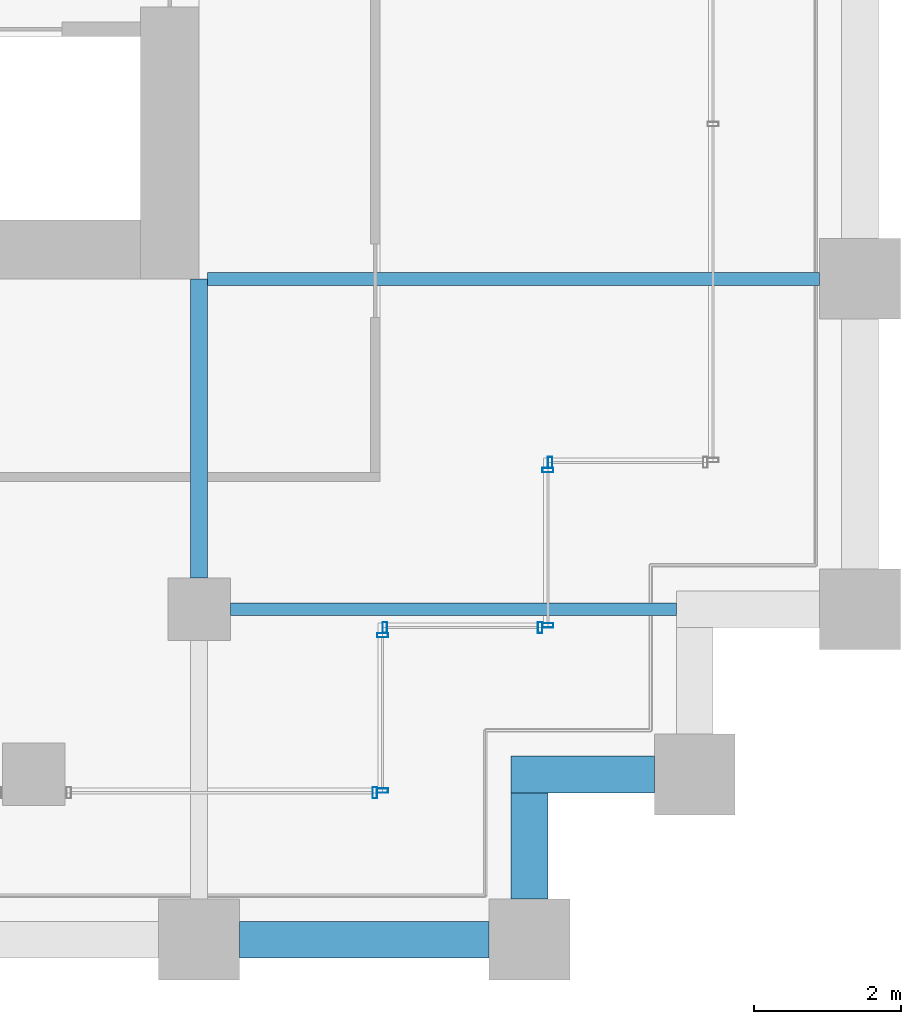
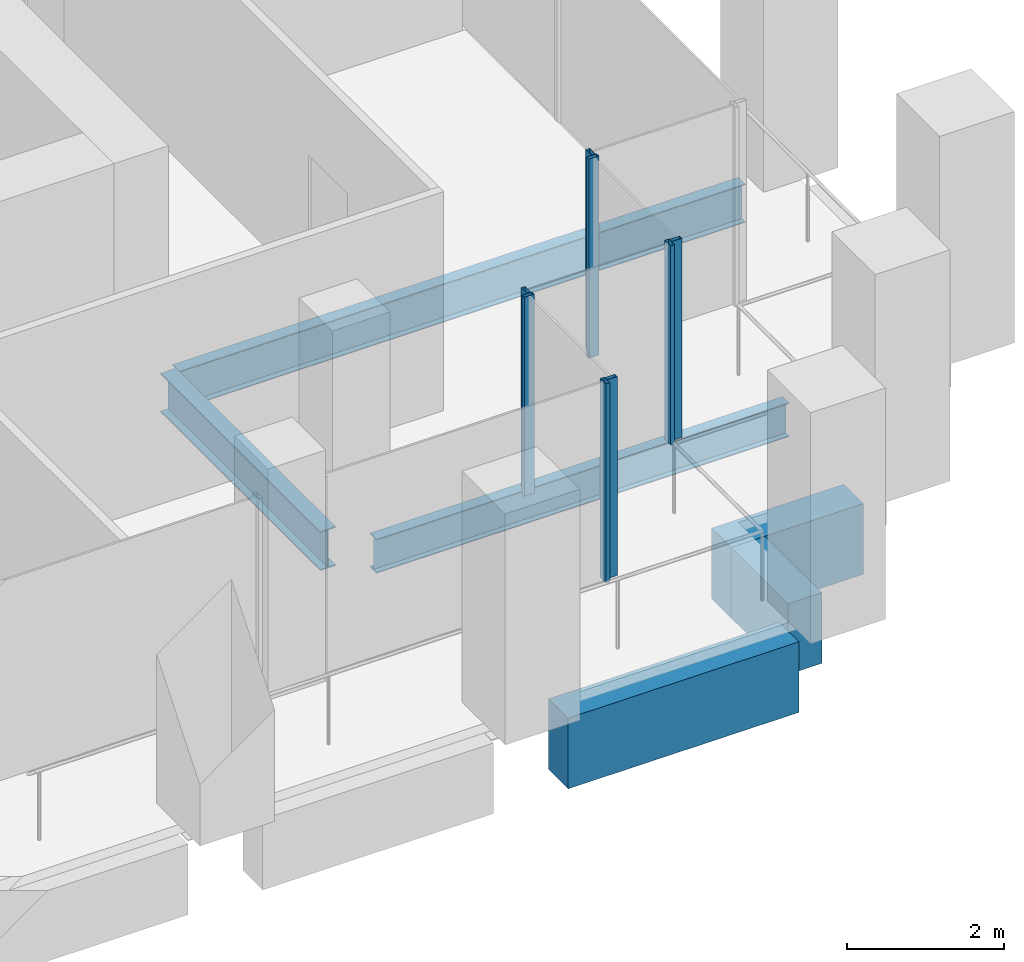
# One storey, part 38 of 54: 8 members, 6 beams, 5 elements without a shape of their own.
"""IFC4 building model written with IfcOpenShell, lengths in metres."""

from ifc_helpers import new_model, si_unit, direction, frame, origin, origin_2d, place, context, subcontext, project, spatial, rectangle, hollow_rectangle, i_section, extrude, material, material_profile, profile_set, type_object, element, aggregate, save


model = new_model("IFC4")

# Units and contexts
model_context = context("Model", 3, precision=1e-05, world=origin(), true_north=direction((0.0, 1.0)))
body_context = subcontext(model_context, "Body", "Model", "MODEL_VIEW")
ifc_project = project(units=[si_unit("LENGTHUNIT", "METRE"), si_unit("AREAUNIT", "SQUARE_METRE"), si_unit("VOLUMEUNIT", "CUBIC_METRE"), si_unit("PLANEANGLEUNIT", "RADIAN"), si_unit("MASSUNIT", "GRAM", prefix="KILO")], contexts=[model_context])

# Site, building, storey
site_placement = place(None, origin())
site = spatial("IfcSite", under=ifc_project, at=site_placement, CompositionType="ELEMENT")
building_placement = place(site_placement, origin())
building = spatial("IfcBuilding", under=site, at=building_placement, Name="Altepetl Exchange Towers", CompositionType="ELEMENT")
storey_placement = place(building_placement, frame((0.0, 0.0, 65.39990234375)))
storey = spatial("IfcBuildingStorey", under=building, at=storey_placement, Name="L15", CompositionType="ELEMENT", Elevation=65.39990234375)

# Beams
ifc_material_1 = material(Name="Steel S355", Category="steel")
ifc_material_profile_1 = material_profile(ifc_material_1, i_section(OverallWidth=0.166015625, OverallDepth=0.529052734375, WebThickness=0.009765625, FlangeThickness=0.013671875, at=origin_2d()), Name="W21X50")
ifc_profile_set_1 = profile_set([ifc_material_profile_1], Name="Steel S355")
beam_type_1 = type_object("IfcBeamType", Name="Floor beam W21X50", PredefinedType="BEAM", material=ifc_profile_set_1)
beam_1_placement = place(storey_placement, frame((117.425048828125, 31.5, -0.414306640625), z_axis=(1.0, 0.0, 0.0), x_axis=(0.0, 1.0, 0.0)))
element("IfcBeam", 1, at=beam_1_placement, inside=storey, type_object=beam_type_1, Name="bm:B:L15:004", PredefinedType="BEAM", context=body_context, shape_type="SweptSolid", body=[
    extrude(i_section(OverallWidth=0.166015625, OverallDepth=0.529052734375, WebThickness=0.009765625, FlangeThickness=0.013671875, at=origin_2d()), origin(), (0.0, 0.0, 1.0), 6.074951171875),
])
ifc_material_profile_2 = material_profile(ifc_material_1, i_section(OverallWidth=0.177978515625, OverallDepth=0.59912109375, WebThickness=0.010009765625, FlangeThickness=0.0126953125, at=origin_2d()), Name="W24X55")
ifc_profile_set_2 = profile_set([ifc_material_profile_2], Name="Steel S355")
beam_type_2 = type_object("IfcBeamType", Name="Floor beam W24X55", PredefinedType="BEAM", material=ifc_profile_set_2)
beam_2_placement = place(storey_placement, frame((117.114013671875, 36.0, -0.449462890625), z_axis=(1.0, 0.0, 0.0), x_axis=(0.0, 1.0, 0.0)))
element("IfcBeam", 2, at=beam_2_placement, inside=storey, type_object=beam_type_2, Name="bm:B:L15:005", PredefinedType="BEAM", context=body_context, shape_type="SweptSolid", body=[
    extrude(i_section(OverallWidth=0.177978515625, OverallDepth=0.59912109375, WebThickness=0.010009765625, FlangeThickness=0.0126953125, at=origin_2d()), origin(), (0.0, 0.0, 1.0), 8.3359375),
])
ifc_material_profile_3 = material_profile(ifc_material_1, i_section(OverallWidth=0.22802734375, OverallDepth=0.60791015625, WebThickness=0.01123046875, FlangeThickness=0.017333984375, at=origin_2d()), Name="W24X76")
ifc_profile_set_3 = profile_set([ifc_material_profile_3], Name="Steel S355")
beam_type_3 = type_object("IfcBeamType", Name="Girder W24X76", PredefinedType="BEAM", material=ifc_profile_set_3)
beam_3_placement = place(storey_placement, frame((117.0, 36.0, -0.453857421875), z_axis=(0.0, -1.0, 0.0), x_axis=(1.0, 0.0, 0.0)))
element("IfcBeam", 3, at=beam_3_placement, inside=storey, type_object=beam_type_3, Name="gd:B:L15:004", PredefinedType="BEAM", context=body_context, shape_type="SweptSolid", body=[
    extrude(i_section(OverallWidth=0.22802734375, OverallDepth=0.60791015625, WebThickness=0.01123046875, FlangeThickness=0.017333984375, at=origin_2d()), origin(), (0.0, 0.0, 1.0), 4.074951171875),
])

# Curtain wall, member
ifc_material_2 = material(Name="Aluminium 6063-T6 glazing", Category="aluminium")
curtain_wall_type = type_object("IfcCurtainWallType", Name="Loggia glazing system", PredefinedType="NOTDEFINED", material=ifc_material_2)
curtain_wall_1_placement = place(storey_placement, origin())
curtain_wall_1 = element("IfcCurtainWall", 4, at=curtain_wall_1_placement, inside=storey, type_object=curtain_wall_type, Name="CW1 run", PredefinedType="NOTDEFINED")
ifc_material_3 = material(Name="Aluminium 6063-T6", Category="aluminium")
ifc_material_profile_4 = material_profile(ifc_material_3, hollow_rectangle(XDim=0.06005859375, YDim=0.14990234375, WallThickness=0.0029296875, at=origin_2d()), Name="Mullion 60x150 aluminium")
ifc_profile_set_4 = profile_set([ifc_material_profile_4], Name="Aluminium 6063-T6")
member_type = type_object("IfcMemberType", Name="Mullion 60x150 aluminium", PredefinedType="MULLION", material=ifc_profile_set_4)
member_1_placement = place(storey_placement, frame((119.39501953125, 29.0, 0.0)))
member_1 = element("IfcMember", 5, at=member_1_placement, type_object=member_type, Name="MU1 mullion", PredefinedType="MULLION", context=body_context, shape_type="SweptSolid", body=[
    extrude(hollow_rectangle(XDim=0.06005859375, YDim=0.14990234375, WallThickness=0.0029296875, at=origin_2d()), origin(), (0.0, 0.0, 1.0), 3.10009765625),
])
aggregate(curtain_wall_1, [member_1])

# Curtain wall, members
curtain_wall_2_placement = place(storey_placement, origin())
curtain_wall_2 = element("IfcCurtainWall", 6, at=curtain_wall_2_placement, inside=storey, type_object=curtain_wall_type, Name="CW1 run", PredefinedType="NOTDEFINED")
member_2_placement = place(storey_placement, frame((119.5, 29.030029296875, 0.0), z_axis=(0.0, 0.0, 1.0), x_axis=(0.0, 1.0, 0.0)))
member_2 = element("IfcMember", 7, at=member_2_placement, type_object=member_type, Name="MU1 mullion", PredefinedType="MULLION", context=body_context, shape_type="SweptSolid", body=[
    extrude(hollow_rectangle(XDim=0.06005859375, YDim=0.14990234375, WallThickness=0.0029296875, at=origin_2d()), origin(), (0.0, 0.0, 1.0), 3.10009765625),
])
member_3_placement = place(storey_placement, frame((119.5, 31.14501953125, 0.0), z_axis=(0.0, 0.0, 1.0), x_axis=(0.0, 1.0, 0.0)))
member_3 = element("IfcMember", 8, at=member_3_placement, type_object=member_type, Name="MU1 mullion", PredefinedType="MULLION", context=body_context, shape_type="SweptSolid", body=[
    extrude(hollow_rectangle(XDim=0.06005859375, YDim=0.14990234375, WallThickness=0.0029296875, at=origin_2d()), origin(), (0.0, 0.0, 1.0), 3.10009765625),
])
aggregate(curtain_wall_2, [member_2, member_3])

curtain_wall_3_placement = place(storey_placement, origin())
curtain_wall_3 = element("IfcCurtainWall", 9, at=curtain_wall_3_placement, inside=storey, type_object=curtain_wall_type, Name="CW1 run", PredefinedType="NOTDEFINED")
member_4_placement = place(storey_placement, frame((119.530029296875, 31.25, 0.0)))
member_4 = element("IfcMember", 10, at=member_4_placement, type_object=member_type, Name="MU1 mullion", PredefinedType="MULLION", context=body_context, shape_type="SweptSolid", body=[
    extrude(hollow_rectangle(XDim=0.06005859375, YDim=0.14990234375, WallThickness=0.0029296875, at=origin_2d()), origin(), (0.0, 0.0, 1.0), 3.10009765625),
])
member_5_placement = place(storey_placement, frame((121.64501953125, 31.25, 0.0)))
member_5 = element("IfcMember", 11, at=member_5_placement, type_object=member_type, Name="MU1 mullion", PredefinedType="MULLION", context=body_context, shape_type="SweptSolid", body=[
    extrude(hollow_rectangle(XDim=0.06005859375, YDim=0.14990234375, WallThickness=0.0029296875, at=origin_2d()), origin(), (0.0, 0.0, 1.0), 3.10009765625),
])
aggregate(curtain_wall_3, [member_4, member_5])

curtain_wall_4_placement = place(storey_placement, origin())
curtain_wall_4 = element("IfcCurtainWall", 12, at=curtain_wall_4_placement, inside=storey, type_object=curtain_wall_type, Name="CW1 run", PredefinedType="NOTDEFINED")
member_6_placement = place(storey_placement, frame((121.75, 31.280029296875, 0.0), z_axis=(0.0, 0.0, 1.0), x_axis=(0.0, 1.0, 0.0)))
member_6 = element("IfcMember", 13, at=member_6_placement, type_object=member_type, Name="MU1 mullion", PredefinedType="MULLION", context=body_context, shape_type="SweptSolid", body=[
    extrude(hollow_rectangle(XDim=0.06005859375, YDim=0.14990234375, WallThickness=0.0029296875, at=origin_2d()), origin(), (0.0, 0.0, 1.0), 3.10009765625),
])
member_7_placement = place(storey_placement, frame((121.75, 33.39501953125, 0.0), z_axis=(0.0, 0.0, 1.0), x_axis=(0.0, 1.0, 0.0)))
member_7 = element("IfcMember", 14, at=member_7_placement, type_object=member_type, Name="MU1 mullion", PredefinedType="MULLION", context=body_context, shape_type="SweptSolid", body=[
    extrude(hollow_rectangle(XDim=0.06005859375, YDim=0.14990234375, WallThickness=0.0029296875, at=origin_2d()), origin(), (0.0, 0.0, 1.0), 3.10009765625),
])
aggregate(curtain_wall_4, [member_6, member_7])

# Curtain wall, member
curtain_wall_5_placement = place(storey_placement, origin())
curtain_wall_5 = element("IfcCurtainWall", 15, at=curtain_wall_5_placement, inside=storey, type_object=curtain_wall_type, Name="CW1 run", PredefinedType="NOTDEFINED")
member_8_placement = place(storey_placement, frame((121.780029296875, 33.5, 0.0)))
member_8 = element("IfcMember", 16, at=member_8_placement, type_object=member_type, Name="MU1 mullion", PredefinedType="MULLION", context=body_context, shape_type="SweptSolid", body=[
    extrude(hollow_rectangle(XDim=0.06005859375, YDim=0.14990234375, WallThickness=0.0029296875, at=origin_2d()), origin(), (0.0, 0.0, 1.0), 3.10009765625),
])
aggregate(curtain_wall_5, [member_8])

# Beams
ifc_material_4 = material(Name="Concrete C50/60 precast with cantera blanca facing", Category="concrete")
ifc_material_profile_5 = material_profile(ifc_material_4, rectangle(XDim=0.5, YDim=1.10009765625, at=origin_2d()), Name="500 x 1100")
ifc_profile_set_5 = profile_set([ifc_material_profile_5], Name="Concrete C50/60 precast with cantera blanca facing")
beam_type_4 = type_object("IfcBeamType", Name="Spandrel beam 500x1100 cantera blanca", PredefinedType="SPANDREL", material=ifc_profile_set_5)
beam_4_placement = place(storey_placement, frame((117.550048828125, 27.0, -0.699951171875), z_axis=(1.0, 0.0, 0.0), x_axis=(0.0, 1.0, 0.0)))
element("IfcBeam", 17, at=beam_4_placement, inside=storey, type_object=beam_type_4, Name="sp:B:L15:004", PredefinedType="SPANDREL", context=body_context, shape_type="SweptSolid", body=[
    extrude(rectangle(XDim=0.5, YDim=1.10009765625, at=origin_2d()), origin(), (0.0, 0.0, 1.0), 3.39990234375),
])
beam_5_placement = place(storey_placement, frame((121.5, 27.550048828125, -0.699951171875), z_axis=(0.0, 1.0, 0.0), x_axis=(-1.0, 0.0, 0.0)))
element("IfcBeam", 18, at=beam_5_placement, inside=storey, type_object=beam_type_4, Name="sp:B:L15:005", PredefinedType="SPANDREL", context=body_context, shape_type="SweptSolid", body=[
    extrude(rectangle(XDim=0.5, YDim=1.10009765625, at=origin_2d()), origin(), (0.0, 0.0, 1.0), 1.449951171875),
])
beam_6_placement = place(storey_placement, frame((121.25, 29.25, -0.699951171875), z_axis=(1.0, 0.0, 0.0), x_axis=(0.0, 1.0, 0.0)))
element("IfcBeam", 19, at=beam_6_placement, inside=storey, type_object=beam_type_4, Name="sp:B:L15:006", PredefinedType="SPANDREL", context=body_context, shape_type="SweptSolid", body=[
    extrude(rectangle(XDim=0.5, YDim=1.10009765625, at=origin_2d()), origin(), (0.0, 0.0, 1.0), 1.949951171875),
])

save(model, "model.ifc")
